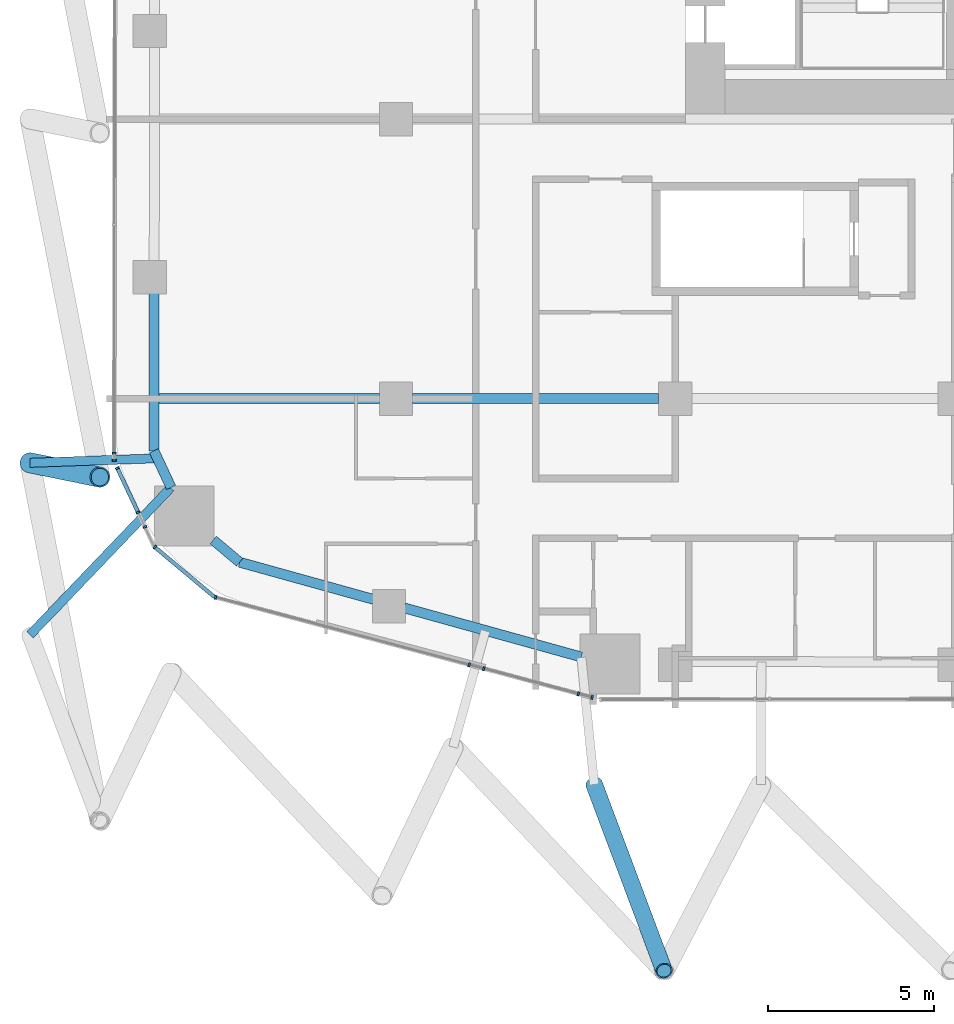
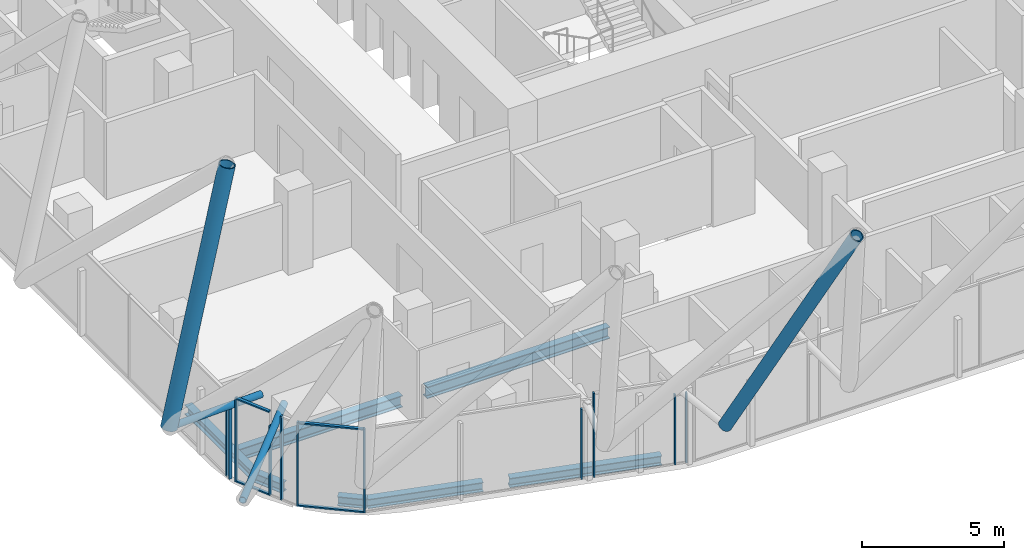
# One storey, part 2 of 36: 19 members, 7 beams, 9 elements without a shape of their own.
"""IFC4 building model written with IfcOpenShell, lengths in metres."""

from ifc_helpers import new_model, si_unit, direction, frame, origin, origin_2d, place, context, subcontext, project, spatial, rectangle, hollow_circle, i_section, extrude, material, layer, layer_set, material_profile, profile_set, type_object, element, aggregate, save


model = new_model("IFC4")

# Units and contexts
model_context = context("Model", 3, precision=1e-05, world=origin(), true_north=direction((0.0, 1.0)))
body_context = subcontext(model_context, "Body", "Model", "MODEL_VIEW")
ifc_project = project(units=[si_unit("LENGTHUNIT", "METRE"), si_unit("AREAUNIT", "SQUARE_METRE"), si_unit("VOLUMEUNIT", "CUBIC_METRE"), si_unit("PLANEANGLEUNIT", "RADIAN"), si_unit("MASSUNIT", "GRAM", prefix="KILO")], contexts=[model_context])

# Site, building, storey
site_placement = place(None, origin())
site = spatial("IfcSite", under=ifc_project, at=site_placement, CompositionType="ELEMENT")
building_placement = place(site_placement, origin())
building = spatial("IfcBuilding", under=site, at=building_placement, Name="Marenta Gate Hotel Tower", CompositionType="ELEMENT")
storey_placement = place(building_placement, frame((0.0, 0.0, 83.300048828125)))
storey = spatial("IfcBuildingStorey", under=building, at=storey_placement, Name="L19", CompositionType="ELEMENT", Elevation=83.300048828125)

# Members
ifc_material_1 = material(Name="Steel S355J2W", Category="steel")
ifc_material_profile_1 = material_profile(ifc_material_1, hollow_circle(Radius=0.25390625, WallThickness=0.0400390625, at=origin_2d()), Name="CHS 508x40")
ifc_profile_set_1 = profile_set([ifc_material_profile_1], Name="Steel S355J2W")
member_type_1 = type_object("IfcMemberType", Name="Diagrid corner post Z1 CHS 508x40", PredefinedType="POST", material=ifc_profile_set_1)
member_1_placement = place(storey_placement, frame((-15.0390625, -20.0, 3.139892578125), z_axis=(0.170109713578, -0.45361271914, 0.874813229427), x_axis=(0.93632582247, 0.35113238839, 0.0)))
element("IfcMember", 1, at=member_1_placement, inside=storey, type_object=member_type_1, Name="L19-DR-4", PredefinedType="POST", context=body_context, shape_type="SweptSolid", body=[
    extrude(hollow_circle(Radius=0.25390625, WallThickness=0.0400390625, at=origin_2d()), origin(), (0.0, 0.0, 1.0), 12.345458984375),
])
ifc_material_2 = material(Name="Steel S355J2W", Category="steel")
ifc_material_profile_2 = material_profile(ifc_material_2, hollow_circle(Radius=0.304931640625, WallThickness=0.0400390625, at=origin_2d()), Name="CHS 610x40")
ifc_profile_set_2 = profile_set([ifc_material_profile_2], Name="Steel S355J2W")
member_type_2 = type_object("IfcMemberType", Name="Diagrid diagonal T1 CHS 610x40", PredefinedType="BRACE", material=ifc_profile_set_2)
member_2_placement = place(storey_placement, frame((-32.0, -10.330078125, 3.139892578125), z_axis=(0.190731815435, -0.039046585327, 0.980865301025), x_axis=(0.200560207771, 0.979681378336, 0.0)))
element("IfcMember", 2, at=member_2_placement, inside=storey, type_object=member_type_2, Name="L19-DG-26", PredefinedType="BRACE", context=body_context, shape_type="SweptSolid", body=[
    extrude(hollow_circle(Radius=0.304931640625, WallThickness=0.0400390625, at=origin_2d()), origin(), (0.0, 0.0, 1.0), 11.0107421875),
])

# Beams
ifc_material_3 = material(Name="Steel S355", Category="steel")
ifc_material_profile_3 = material_profile(ifc_material_3, i_section(OverallWidth=0.300048828125, OverallDepth=0.39990234375, WebThickness=0.013427734375, FlangeThickness=0.02392578125, FilletRadius=0.027099609375, at=origin_2d()), Name="HEB 400")
ifc_profile_set_3 = profile_set([ifc_material_profile_3], Name="Steel S355")
beam_type_1 = type_object("IfcBeamType", Name="Edge beam HEB 400", PredefinedType="SPANDREL", material=ifc_profile_set_3)
beam_1_placement = place(storey_placement, frame((-15.427734375, -16.166748046875, -0.4599609375), z_axis=(-0.963623684238, 0.267262782998, 0.0), x_axis=(-0.267262782998, -0.963623684238, 0.0)))
element("IfcBeam", 3, at=beam_1_placement, inside=storey, type_object=beam_type_1, Name="L19-EB-1", PredefinedType="SPANDREL", context=body_context, shape_type="SweptSolid", body=[
    extrude(i_section(OverallWidth=0.300048828125, OverallDepth=0.39990234375, WebThickness=0.013427734375, FlangeThickness=0.02392578125, FilletRadius=0.027099609375, at=origin_2d()), origin(), (0.0, 0.0, 1.0), 5.518310546875),
])
beam_2_placement = place(storey_placement, frame((-21.668212890625, -14.43603515625, -0.4599609375), z_axis=(-0.963617403201, 0.267285428426, 0.0), x_axis=(-0.267285428426, -0.963617403201, 0.0)))
element("IfcBeam", 4, at=beam_2_placement, inside=storey, type_object=beam_type_1, Name="L19-EB-2", PredefinedType="SPANDREL", context=body_context, shape_type="SweptSolid", body=[
    extrude(i_section(OverallWidth=0.300048828125, OverallDepth=0.39990234375, WebThickness=0.013427734375, FlangeThickness=0.02392578125, FilletRadius=0.027099609375, at=origin_2d()), origin(), (0.0, 0.0, 1.0), 4.1806640625),
])
beam_3_placement = place(storey_placement, frame((-25.69677734375, -13.318603515625, -0.4599609375), z_axis=(-0.767179911534, 0.641431978731, 0.0), x_axis=(-0.641431978731, -0.767179911534, 0.0)))
element("IfcBeam", 5, at=beam_3_placement, inside=storey, type_object=beam_type_1, Name="L19-EB-3", PredefinedType="SPANDREL", context=body_context, shape_type="SweptSolid", body=[
    extrude(i_section(OverallWidth=0.300048828125, OverallDepth=0.39990234375, WebThickness=0.013427734375, FlangeThickness=0.02392578125, FilletRadius=0.027099609375, at=origin_2d()), origin(), (0.0, 0.0, 1.0), 1.038818359375),
])
beam_4_placement = place(storey_placement, frame((-27.76025390625, -11.0693359375, -0.4599609375), z_axis=(-0.423291965192, 0.905993329006, 0.0), x_axis=(-0.905993329006, -0.423291965192, 0.0)))
element("IfcBeam", 6, at=beam_4_placement, inside=storey, type_object=beam_type_1, Name="L19-EB-4", PredefinedType="SPANDREL", context=body_context, shape_type="SweptSolid", body=[
    extrude(i_section(OverallWidth=0.300048828125, OverallDepth=0.39990234375, WebThickness=0.013427734375, FlangeThickness=0.02392578125, FilletRadius=0.027099609375, at=origin_2d()), origin(), (0.0, 0.0, 1.0), 1.21630859375),
])
beam_5_placement = place(storey_placement, frame((-28.275146484375, -9.96728515625, -0.4599609375), z_axis=(0.001386177947, 0.999999039255, 0.0), x_axis=(-0.999999039255, 0.001386177947, 0.0)))
element("IfcBeam", 7, at=beam_5_placement, inside=storey, type_object=beam_type_1, Name="L19-EB-5", PredefinedType="SPANDREL", context=body_context, shape_type="SweptSolid", body=[
    extrude(i_section(OverallWidth=0.300048828125, OverallDepth=0.39990234375, WebThickness=0.013427734375, FlangeThickness=0.02392578125, FilletRadius=0.027099609375, at=origin_2d()), origin(), (0.0, 0.0, 1.0), 4.75537109375),
])

# Members
ifc_material_4 = material(Name="Steel S355J2W", Category="steel")
ifc_material_profile_4 = material_profile(ifc_material_4, hollow_circle(Radius=0.136474609375, WallThickness=0.012451171875, at=origin_2d()), Name="CHS 273x12.5")
ifc_profile_set_4 = profile_set([ifc_material_profile_4], Name="Steel S355J2W")
member_type_3 = type_object("IfcMemberType", Name="Floor tie CHS 273x12.5", PredefinedType="STRUT", material=ifc_profile_set_4)
member_3_placement = place(storey_placement, frame((-32.0, -15.500244140625, 3.139892578125), z_axis=(0.69134860262, 0.722521355847, 0.0), x_axis=(-0.722521355847, 0.69134860262, 0.0)))
element("IfcMember", 8, at=member_3_placement, inside=storey, type_object=member_type_3, Name="L19-DR-18", PredefinedType="STRUT", context=body_context, shape_type="SweptSolid", body=[
    extrude(hollow_circle(Radius=0.136474609375, WallThickness=0.012451171875, at=origin_2d()), origin(), (0.0, 0.0, 1.0), 6.11669921875),
])
member_4_placement = place(storey_placement, frame((-32.0, -10.330078125, 3.139892578125), z_axis=(0.999365133805, 0.035627648459, 0.0), x_axis=(-0.035627648459, 0.999365133805, 0.0)))
element("IfcMember", 9, at=member_4_placement, inside=storey, type_object=member_type_3, Name="L19-DR-19", PredefinedType="STRUT", context=body_context, shape_type="SweptSolid", body=[
    extrude(hollow_circle(Radius=0.136474609375, WallThickness=0.012451171875, at=origin_2d()), origin(), (0.0, 0.0, 1.0), 3.81689453125),
])

# Beams
ifc_material_5 = material(Name="Steel S355", Category="steel")
ifc_material_profile_5 = material_profile(ifc_material_5, i_section(OverallWidth=0.300048828125, OverallDepth=0.5, WebThickness=0.014404296875, FlangeThickness=0.028076171875, FilletRadius=0.027099609375, at=origin_2d()), Name="HEB 500")
ifc_profile_set_5 = profile_set([ifc_material_profile_5], Name="Steel S355")
beam_type_2 = type_object("IfcBeamType", Name="Girder HEB 500", PredefinedType="BEAM", material=ifc_profile_set_5)
beam_6_placement = place(storey_placement, frame((-28.123046875, -8.39990234375, -0.510009765625), z_axis=(1.0, 0.0, 0.0), x_axis=(0.0, 1.0, 0.0)))
element("IfcBeam", 10, at=beam_6_placement, inside=storey, type_object=beam_type_2, Name="L19-GD-1", PredefinedType="BEAM", context=body_context, shape_type="SweptSolid", body=[
    extrude(i_section(OverallWidth=0.300048828125, OverallDepth=0.5, WebThickness=0.014404296875, FlangeThickness=0.028076171875, FilletRadius=0.027099609375, at=origin_2d()), origin(), (0.0, 0.0, 1.0), 6.623046875),
])
beam_7_placement = place(storey_placement, frame((-20.5, -8.39990234375, -0.510009765625), z_axis=(1.0, 0.0, 0.0), x_axis=(0.0, 1.0, 0.0)))
element("IfcBeam", 11, at=beam_7_placement, inside=storey, type_object=beam_type_2, Name="L19-GD-2", PredefinedType="BEAM", context=body_context, shape_type="SweptSolid", body=[
    extrude(i_section(OverallWidth=0.300048828125, OverallDepth=0.5, WebThickness=0.014404296875, FlangeThickness=0.028076171875, FilletRadius=0.027099609375, at=origin_2d()), origin(), (0.0, 0.0, 1.0), 7.39990234375),
])

# Curtain wall, members
ifc_material_6 = material(Name="Tinted insulated glass in bronze anodised frame", Category="glass")
ifc_layer = layer(ifc_material_6, 0.1201171875)
ifc_layer_set = layer_set([ifc_layer], Name="Tinted insulated glass in bronze anodised frame")
curtain_wall_type = type_object("IfcCurtainWallType", Name="Tower unitised curtain wall CW1", PredefinedType="NOTDEFINED", material=ifc_layer_set)
curtain_wall_1_placement = place(storey_placement, origin())
curtain_wall_1 = element("IfcCurtainWall", 12, at=curtain_wall_1_placement, inside=storey, type_object=curtain_wall_type, Name="CW1 run G09", PredefinedType="NOTDEFINED")
ifc_material_7 = material(Name="Bronze anodised aluminium", Category="aluminium")
ifc_material_profile_6 = material_profile(ifc_material_7, rectangle(XDim=0.1201171875, YDim=0.06005859375, at=origin_2d()), Name="Mullion CW1 60x120 bronze anodised aluminium")
ifc_profile_set_6 = profile_set([ifc_material_profile_6], Name="Bronze anodised aluminium")
member_type_4 = type_object("IfcMemberType", Name="Mullion CW1 60x120 bronze anodised aluminium", PredefinedType="MULLION", material=ifc_profile_set_6)
member_5_placement = place(storey_placement, frame((-29.472900390625, -10.04345703125, 0.0), z_axis=(0.0, 0.0, 1.0), x_axis=(0.999998839888, -0.001523227487, 0.0)))
member_5 = element("IfcMember", 13, at=member_5_placement, type_object=member_type_4, Name="CW1 mullion 1", PredefinedType="MULLION", context=body_context, shape_type="SweptSolid", body=[
    extrude(rectangle(XDim=0.1201171875, YDim=0.06005859375, at=origin_2d()), origin(), (0.0, 0.0, 1.0), 3.00048828125),
])
member_6_placement = place(storey_placement, frame((-29.47314453125, -10.24609375, 0.0), z_axis=(0.0, 0.0, 1.0), x_axis=(0.999998839888, -0.001523227487, 0.0)))
member_6 = element("IfcMember", 14, at=member_6_placement, type_object=member_type_4, Name="CW1 mullion 2", PredefinedType="MULLION", context=body_context, shape_type="SweptSolid", body=[
    extrude(rectangle(XDim=0.1201171875, YDim=0.06005859375, at=origin_2d()), origin(), (0.0, 0.0, 1.0), 3.00048828125),
])
aggregate(curtain_wall_1, [member_5, member_6])

# Curtain wall, member
curtain_wall_2_placement = place(storey_placement, origin())
curtain_wall_2 = element("IfcCurtainWall", 15, at=curtain_wall_2_placement, inside=storey, type_object=curtain_wall_type, Name="CW1 run G10", PredefinedType="NOTDEFINED")
member_7_placement = place(storey_placement, frame((-29.373046875, -10.49072265625, 0.0), z_axis=(0.0, 0.0, 1.0), x_axis=(0.905954731156, 0.423374568314, 0.0)))
member_7 = element("IfcMember", 16, at=member_7_placement, type_object=member_type_4, Name="CW1 mullion 1", PredefinedType="MULLION", context=body_context, shape_type="SweptSolid", body=[
    extrude(rectangle(XDim=0.1201171875, YDim=0.06005859375, at=origin_2d()), origin(), (0.0, 0.0, 1.0), 3.599853515625),
])

curtain_wall_3_placement = place(storey_placement, origin())
curtain_wall_3 = element("IfcCurtainWall", 17, at=curtain_wall_3_placement, inside=storey, type_object=curtain_wall_type, Name="CW1 run G11", PredefinedType="NOTDEFINED")
member_8_placement = place(storey_placement, frame((-28.752197265625, -11.819091796875, 0.0), z_axis=(0.0, 0.0, 1.0), x_axis=(0.905967449487, 0.423347352029, 0.0)))
member_8 = element("IfcMember", 18, at=member_8_placement, type_object=member_type_4, Name="CW1 mullion 1", PredefinedType="MULLION", context=body_context, shape_type="SweptSolid", body=[
    extrude(rectangle(XDim=0.1201171875, YDim=0.06005859375, at=origin_2d()), origin(), (0.0, 0.0, 1.0), 3.00048828125),
])
aggregate(curtain_wall_3, [member_8])

curtain_wall_4_placement = place(storey_placement, origin())
curtain_wall_4 = element("IfcCurtainWall", 19, at=curtain_wall_4_placement, inside=storey, type_object=curtain_wall_type, Name="CW1 run G12", PredefinedType="NOTDEFINED")
member_9_placement = place(storey_placement, frame((-28.546630859375, -12.25927734375, 0.0), z_axis=(0.0, 0.0, 1.0), x_axis=(0.905970440142, 0.423340951939, 0.0)))
member_9 = element("IfcMember", 20, at=member_9_placement, type_object=member_type_4, Name="CW1 mullion 1", PredefinedType="MULLION", context=body_context, shape_type="SweptSolid", body=[
    extrude(rectangle(XDim=0.1201171875, YDim=0.06005859375, at=origin_2d()), origin(), (0.0, 0.0, 1.0), 3.599853515625),
])
aggregate(curtain_wall_4, [member_9])

curtain_wall_5_placement = place(storey_placement, origin())
curtain_wall_5 = element("IfcCurtainWall", 21, at=curtain_wall_5_placement, inside=storey, type_object=curtain_wall_type, Name="CW1 run G13", PredefinedType="NOTDEFINED")
member_10_placement = place(storey_placement, frame((-28.25146484375, -12.86083984375, 0.0), z_axis=(0.0, 0.0, 1.0), x_axis=(0.641511984407, 0.767113012445, 0.0)))
member_10 = element("IfcMember", 22, at=member_10_placement, type_object=member_type_4, Name="CW1 mullion 1", PredefinedType="MULLION", context=body_context, shape_type="SweptSolid", body=[
    extrude(rectangle(XDim=0.1201171875, YDim=0.06005859375, at=origin_2d()), origin(), (0.0, 0.0, 1.0), 3.599853515625),
])

curtain_wall_6_placement = place(storey_placement, origin())
curtain_wall_6 = element("IfcCurtainWall", 23, at=curtain_wall_6_placement, inside=storey, type_object=curtain_wall_type, Name="CW1 run G14", PredefinedType="NOTDEFINED")
member_11_placement = place(storey_placement, frame((-26.42236328125, -14.3740234375, 0.0), z_axis=(0.0, 0.0, 1.0), x_axis=(0.257144343682, 0.96637300589, 0.0)))
member_11 = element("IfcMember", 24, at=member_11_placement, type_object=member_type_4, Name="CW1 mullion 1", PredefinedType="MULLION", context=body_context, shape_type="SweptSolid", body=[
    extrude(rectangle(XDim=0.1201171875, YDim=0.06005859375, at=origin_2d()), origin(), (0.0, 0.0, 1.0), 3.599853515625),
])
aggregate(curtain_wall_6, [member_11])

curtain_wall_7_placement = place(storey_placement, origin())
curtain_wall_7 = element("IfcCurtainWall", 25, at=curtain_wall_7_placement, inside=storey, type_object=curtain_wall_type, Name="CW1 run G15", PredefinedType="NOTDEFINED")
member_12_placement = place(storey_placement, frame((-18.797607421875, -16.40283203125, 0.0), z_axis=(0.0, 0.0, 1.0), x_axis=(0.257209152092, 0.966355758549, 0.0)))
member_12 = element("IfcMember", 26, at=member_12_placement, type_object=member_type_4, Name="CW1 mullion 1", PredefinedType="MULLION", context=body_context, shape_type="SweptSolid", body=[
    extrude(rectangle(XDim=0.1201171875, YDim=0.06005859375, at=origin_2d()), origin(), (0.0, 0.0, 1.0), 3.00048828125),
])
aggregate(curtain_wall_7, [member_12])

curtain_wall_8_placement = place(storey_placement, origin())
curtain_wall_8 = element("IfcCurtainWall", 27, at=curtain_wall_8_placement, inside=storey, type_object=curtain_wall_type, Name="CW1 run G16", PredefinedType="NOTDEFINED")
member_13_placement = place(storey_placement, frame((-18.35986328125, -16.51953125, 0.0), z_axis=(0.0, 0.0, 1.0), x_axis=(0.257117191896, 0.96638023036, 0.0)))
member_13 = element("IfcMember", 28, at=member_13_placement, type_object=member_type_4, Name="CW1 mullion 1", PredefinedType="MULLION", context=body_context, shape_type="SweptSolid", body=[
    extrude(rectangle(XDim=0.1201171875, YDim=0.06005859375, at=origin_2d()), origin(), (0.0, 0.0, 1.0), 3.599853515625),
])
aggregate(curtain_wall_8, [member_13])

# Curtain wall, members
curtain_wall_9_placement = place(storey_placement, origin())
curtain_wall_9 = element("IfcCurtainWall", 29, at=curtain_wall_9_placement, inside=storey, type_object=curtain_wall_type, Name="CW1 run G17", PredefinedType="NOTDEFINED")
member_14_placement = place(storey_placement, frame((-15.5146484375, -17.2763671875, 0.0), z_axis=(0.0, 0.0, 1.0), x_axis=(0.257135563383, 0.966375342216, 0.0)))
member_14 = element("IfcMember", 30, at=member_14_placement, type_object=member_type_4, Name="CW1 mullion 1", PredefinedType="MULLION", context=body_context, shape_type="SweptSolid", body=[
    extrude(rectangle(XDim=0.1201171875, YDim=0.06005859375, at=origin_2d()), origin(), (0.0, 0.0, 1.0), 3.00048828125),
])
member_15_placement = place(storey_placement, frame((-15.104736328125, -17.385498046875, 0.0), z_axis=(0.0, 0.0, 1.0), x_axis=(0.257135563383, 0.966375342216, 0.0)))
member_15 = element("IfcMember", 31, at=member_15_placement, type_object=member_type_4, Name="CW1 mullion 2", PredefinedType="MULLION", context=body_context, shape_type="SweptSolid", body=[
    extrude(rectangle(XDim=0.1201171875, YDim=0.06005859375, at=origin_2d()), origin(), (0.0, 0.0, 1.0), 3.00048828125),
])
aggregate(curtain_wall_9, [member_14, member_15])

# Member
ifc_material_8 = material(Name="Bronze anodised aluminium", Category="aluminium")
ifc_material_profile_7 = material_profile(ifc_material_8, rectangle(XDim=0.1201171875, YDim=0.06005859375, at=origin_2d()), Name="Transom CW1 60x120 bronze anodised aluminium")
ifc_profile_set_7 = profile_set([ifc_material_profile_7], Name="Bronze anodised aluminium")
member_type_5 = type_object("IfcMemberType", Name="Transom CW1 60x120 bronze anodised aluminium", PredefinedType="USERDEFINED", material=ifc_profile_set_7)
member_16_placement = place(storey_placement, frame((-29.3603515625, -10.51806640625, 0.030029296875), z_axis=(0.423512756484, -0.905890139639, 0.0), x_axis=(0.905890139639, 0.423512756484, 0.0)))
member_16 = element("IfcMember", 32, at=member_16_placement, type_object=member_type_5, Name="CW1 transom 1.1", ObjectType="TRANSOM", PredefinedType="USERDEFINED", context=body_context, shape_type="SweptSolid", body=[
    extrude(rectangle(XDim=0.1201171875, YDim=0.06005859375, at=origin_2d()), origin(), (0.0, 0.0, 1.0), 1.406005859375),
])

member_17_placement = place(storey_placement, frame((-29.3603515625, -10.51806640625, 3.570068359375), z_axis=(0.423512756484, -0.905890139639, 0.0), x_axis=(0.905890139639, 0.423512756484, 0.0)))
member_17 = element("IfcMember", 33, at=member_17_placement, type_object=member_type_5, Name="CW1 transom 1.2", ObjectType="TRANSOM", PredefinedType="USERDEFINED", context=body_context, shape_type="SweptSolid", body=[
    extrude(rectangle(XDim=0.1201171875, YDim=0.06005859375, at=origin_2d()), origin(), (0.0, 0.0, 1.0), 1.406005859375),
])

aggregate(curtain_wall_2, [member_7, member_16, member_17])

member_18_placement = place(storey_placement, frame((-28.228271484375, -12.880126953125, 0.030029296875), z_axis=(0.767079699321, -0.641551817775, 0.0), x_axis=(0.641551817775, 0.767079699321, 0.0)))
member_18 = element("IfcMember", 34, at=member_18_placement, type_object=member_type_5, Name="CW1 transom 1.1", ObjectType="TRANSOM", PredefinedType="USERDEFINED", context=body_context, shape_type="SweptSolid", body=[
    extrude(rectangle(XDim=0.1201171875, YDim=0.06005859375, at=origin_2d()), origin(), (0.0, 0.0, 1.0), 2.31640625),
])

member_19_placement = place(storey_placement, frame((-28.228271484375, -12.880126953125, 3.570068359375), z_axis=(0.767079699321, -0.641551817775, 0.0), x_axis=(0.641551817775, 0.767079699321, 0.0)))
member_19 = element("IfcMember", 35, at=member_19_placement, type_object=member_type_5, Name="CW1 transom 1.2", ObjectType="TRANSOM", PredefinedType="USERDEFINED", context=body_context, shape_type="SweptSolid", body=[
    extrude(rectangle(XDim=0.1201171875, YDim=0.06005859375, at=origin_2d()), origin(), (0.0, 0.0, 1.0), 2.31640625),
])

aggregate(curtain_wall_5, [member_10, member_18, member_19])

save(model, "model.ifc")
